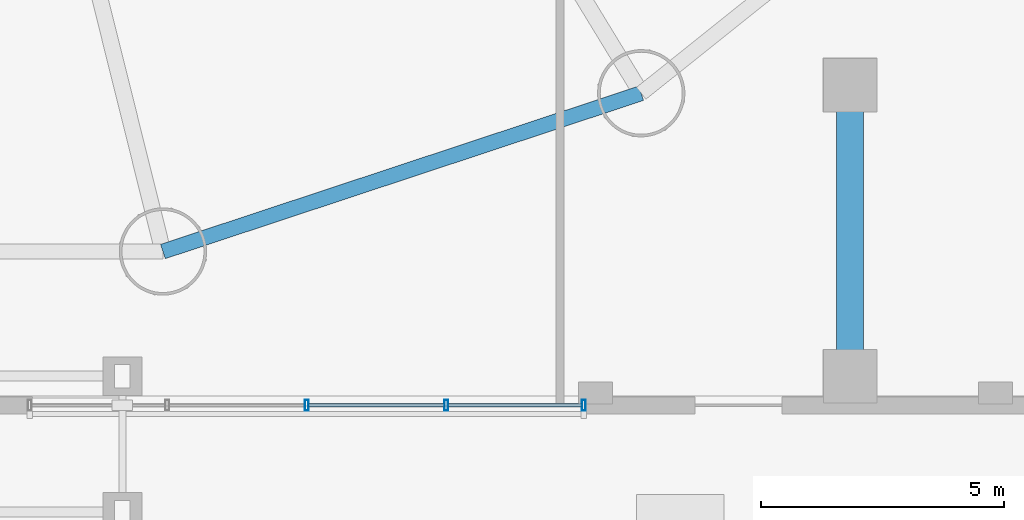
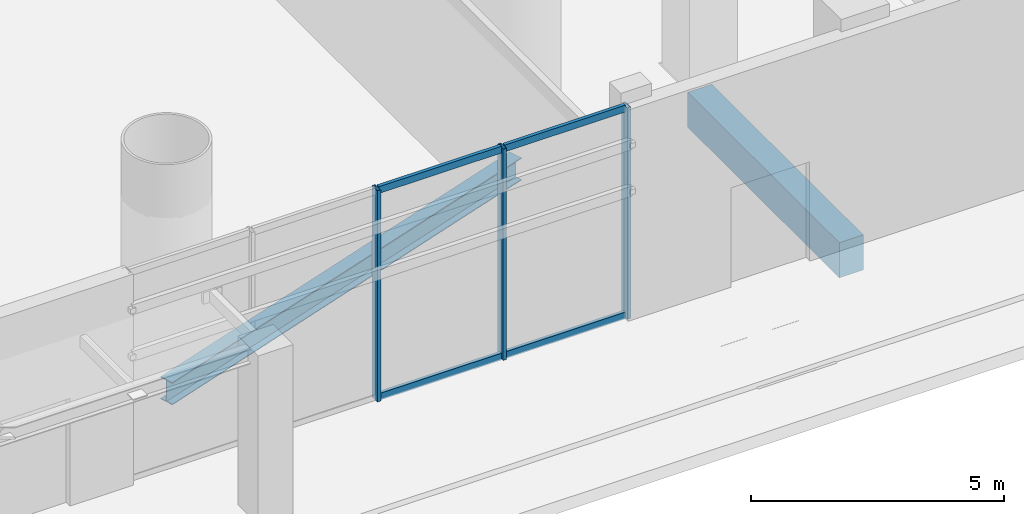
# One storey, part 6 of 25: 7 members, 2 beams, 1 element without a shape of its own.
"""IFC4 building model written with IfcOpenShell, lengths in metres."""

from ifc_helpers import new_model, si_unit, direction, frame, origin, origin_2d, place, context, subcontext, project, spatial, rectangle, hollow_rectangle, i_section, extrude, source, transform, mapped, material, material_profile, profile_set, type_object, element, aggregate, save


model = new_model("IFC4")

# Units and contexts
model_context = context("Model", 3, precision=1e-05, world=origin(), true_north=direction((-0.2419218956, 0.970295726276)))
body_context = subcontext(model_context, "Body", "Model", "MODEL_VIEW")
ifc_project = project(units=[si_unit("LENGTHUNIT", "METRE"), si_unit("AREAUNIT", "SQUARE_METRE"), si_unit("VOLUMEUNIT", "CUBIC_METRE"), si_unit("PLANEANGLEUNIT", "RADIAN"), si_unit("MASSUNIT", "GRAM", prefix="KILO")], contexts=[model_context])

# Site, building, storey
site_placement = place(None, origin())
site = spatial("IfcSite", under=ifc_project, at=site_placement, CompositionType="ELEMENT")
building_placement = place(site_placement, origin())
building = spatial("IfcBuilding", under=site, at=building_placement, Name="Cobrevalo Terracotta Tower", CompositionType="ELEMENT")
storey_placement = place(building_placement, origin())
storey = spatial("IfcBuildingStorey", under=building, at=storey_placement, Name="L00", CompositionType="ELEMENT", Elevation=0.0)

# Beams
ifc_material_1 = material(Name="Steel S355", Category="steel")
ifc_material_profile_1 = material_profile(ifc_material_1, i_section(OverallWidth=0.31201171875, OverallDepth=0.54296875, WebThickness=0.0126953125, FlangeThickness=0.020263671875, at=origin_2d()), Name="W 530x150")
ifc_profile_set_1 = profile_set([ifc_material_profile_1], Name="Steel S355")
beam_type_1 = type_object("IfcBeamType", Name="Structural Spandrel W 530x150 (Steel S355)", PredefinedType="SPANDREL", material=ifc_profile_set_1)
beam_1_placement = place(storey_placement, frame((43.335693359375, 5.369873046875, -0.69140625), z_axis=(0.949372202648, 0.314153498848, 0.0), x_axis=(-0.314153498848, 0.949372202648, 0.0)))
element("IfcBeam", 1, at=beam_1_placement, inside=storey, type_object=beam_type_1, Name="L00 perimeter ring spandrel 13", PredefinedType="SPANDREL", context=body_context, shape_type="SweptSolid", body=[
    extrude(i_section(OverallWidth=0.31201171875, OverallDepth=0.54296875, WebThickness=0.0126953125, FlangeThickness=0.020263671875, at=origin_2d()), origin(), (0.0, 0.0, 1.0), 10.385009765625),
])
ifc_material_2 = material(Name="Concrete C50", Category="concrete")
ifc_material_profile_2 = material_profile(ifc_material_2, rectangle(XDim=0.550048828125, YDim=0.85009765625, at=origin_2d()), Name="RC BM 550x850")
ifc_profile_set_2 = profile_set([ifc_material_profile_2], Name="Concrete C50")
beam_type_2 = type_object("IfcBeamType", Name="Structural T Beam RC BM 550x850 (Concrete C50)", PredefinedType="T_BEAM", material=ifc_profile_set_2)
beam_2_placement = place(storey_placement, frame((57.5, 2.800048828125, -0.844970703125), z_axis=(0.0, 1.0, 0.0), x_axis=(-1.0, 0.0, 0.0)))
element("IfcBeam", 2, at=beam_2_placement, inside=storey, type_object=beam_type_2, Name="L00 podium grid beam G7-GA to G7-GB", PredefinedType="T_BEAM", context=body_context, shape_type="SweptSolid", body=[
    extrude(rectangle(XDim=0.550048828125, YDim=0.85009765625, at=origin_2d()), origin(), (0.0, 0.0, 1.0), 6.0),
])

# Curtain wall, members
ifc_material_3 = material(Name="Anodized aluminium", Category="aluminium")
curtain_wall_type = type_object("IfcCurtainWallType", Name="Double-height storefront stick curtain wall CW-S1", PredefinedType="NOTDEFINED", material=ifc_material_3)
curtain_wall_placement = place(storey_placement, origin())
curtain_wall = element("IfcCurtainWall", 3, at=curtain_wall_placement, inside=storey, type_object=curtain_wall_type, Name="L00 curtain wall CW-L00-S-LOB2", PredefinedType="NOTDEFINED")
ifc_material_profile_3 = material_profile(ifc_material_3, hollow_rectangle(XDim=0.080078125, YDim=0.219970703125, WallThickness=0.0048828125, at=origin_2d()), Name="CWM 80x220")
ifc_profile_set_3 = profile_set([ifc_material_profile_3], Name="Anodized aluminium")
member_type_1 = type_object("IfcMemberType", Name="Storefront & atrium aluminium mullion 80x220", PredefinedType="MULLION", material=ifc_profile_set_3)
shared_shape_1 = source(origin(), body_context, "Body", "SweptSolid", [
    extrude(hollow_rectangle(XDim=0.080078125, YDim=0.219970703125, WallThickness=0.0048828125, at=origin_2d()), origin(), (0.0, 0.0, 1.0), 5.10009765625),
])
member_1_placement = place(storey_placement, frame((46.300048828125, 2.199951171875, 0.0), z_axis=(0.0, 0.0, 1.0), x_axis=(1.0, 0.0, 0.0)))
member_1 = element("IfcMember", 4, at=member_1_placement, type_object=member_type_1, Name="CW-L00-S-LOB2 vertical mullion 03", PredefinedType="MULLION", context=body_context, shape_type="MappedRepresentation", body=[
    mapped(shared_shape_1, transform((0.0, 0.0, 0.0), scale=1.0)),
])
member_2_placement = place(storey_placement, frame((49.175048828125, 2.199951171875, 0.0), z_axis=(0.0, 0.0, 1.0), x_axis=(1.0, 0.0, 0.0)))
member_2 = element("IfcMember", 5, at=member_2_placement, type_object=member_type_1, Name="CW-L00-S-LOB2 vertical mullion 04", PredefinedType="MULLION", context=body_context, shape_type="MappedRepresentation", body=[
    mapped(shared_shape_1, transform((0.0, 0.0, 0.0), scale=1.0)),
])
member_3_placement = place(storey_placement, frame((52.010009765625, 2.199951171875, 0.0), z_axis=(0.0, 0.0, 1.0), x_axis=(1.0, 0.0, 0.0)))
member_3 = element("IfcMember", 6, at=member_3_placement, type_object=member_type_1, Name="CW-L00-S-LOB2 vertical mullion 05", PredefinedType="MULLION", context=body_context, shape_type="MappedRepresentation", body=[
    mapped(shared_shape_1, transform((0.0, 0.0, 0.0), scale=1.0)),
])
ifc_material_profile_4 = material_profile(ifc_material_3, hollow_rectangle(XDim=0.080078125, YDim=0.1650390625, WallThickness=0.00439453125, at=origin_2d()), Name="CWT 80x165")
ifc_profile_set_4 = profile_set([ifc_material_profile_4], Name="Anodized aluminium")
member_type_2 = type_object("IfcMemberType", Name="Storefront & atrium aluminium transom 80x165", PredefinedType="USERDEFINED", material=ifc_profile_set_4)
shared_shape_2 = source(origin(), body_context, "Body", "SweptSolid", [
    extrude(hollow_rectangle(XDim=0.080078125, YDim=0.1650390625, WallThickness=0.00439453125, at=origin_2d()), origin(), (0.0, 0.0, 1.0), 2.7548828125),
])
member_4_placement = place(storey_placement, frame((49.215087890625, 2.199951171875, 0.050048828125), z_axis=(1.0, 0.0, 0.0), x_axis=(0.0, 1.0, 0.0)))
member_4 = element("IfcMember", 7, at=member_4_placement, type_object=member_type_2, Name="CW-L00-S-LOB2 transom B04-T1", ObjectType="TRANSOM", PredefinedType="USERDEFINED", context=body_context, shape_type="MappedRepresentation", body=[
    mapped(shared_shape_2, transform((0.0, 0.0, 0.0), scale=1.0)),
])
member_5_placement = place(storey_placement, frame((49.215087890625, 2.199951171875, 5.050048828125), z_axis=(1.0, 0.0, 0.0), x_axis=(0.0, 1.0, 0.0)))
member_5 = element("IfcMember", 8, at=member_5_placement, type_object=member_type_2, Name="CW-L00-S-LOB2 transom B04-T2", ObjectType="TRANSOM", PredefinedType="USERDEFINED", context=body_context, shape_type="MappedRepresentation", body=[
    mapped(shared_shape_2, transform((0.0, 0.0, 0.0), scale=1.0)),
])
shared_shape_3 = source(origin(), body_context, "Body", "SweptSolid", [
    extrude(hollow_rectangle(XDim=0.080078125, YDim=0.1650390625, WallThickness=0.00439453125, at=origin_2d()), origin(), (0.0, 0.0, 1.0), 2.794921875),
])
member_6_placement = place(storey_placement, frame((46.340087890625, 2.199951171875, 0.050048828125), z_axis=(1.0, 0.0, 0.0), x_axis=(0.0, 1.0, 0.0)))
member_6 = element("IfcMember", 9, at=member_6_placement, type_object=member_type_2, Name="CW-L00-S-LOB2 transom B03-T1", ObjectType="TRANSOM", PredefinedType="USERDEFINED", context=body_context, shape_type="MappedRepresentation", body=[
    mapped(shared_shape_3, transform((0.0, 0.0, 0.0), scale=1.0)),
])
member_7_placement = place(storey_placement, frame((46.340087890625, 2.199951171875, 5.050048828125), z_axis=(1.0, 0.0, 0.0), x_axis=(0.0, 1.0, 0.0)))
member_7 = element("IfcMember", 10, at=member_7_placement, type_object=member_type_2, Name="CW-L00-S-LOB2 transom B03-T2", ObjectType="TRANSOM", PredefinedType="USERDEFINED", context=body_context, shape_type="MappedRepresentation", body=[
    mapped(shared_shape_3, transform((0.0, 0.0, 0.0), scale=1.0)),
])
aggregate(curtain_wall, [member_1, member_2, member_3, member_6, member_7, member_4, member_5])

save(model, "model.ifc")
